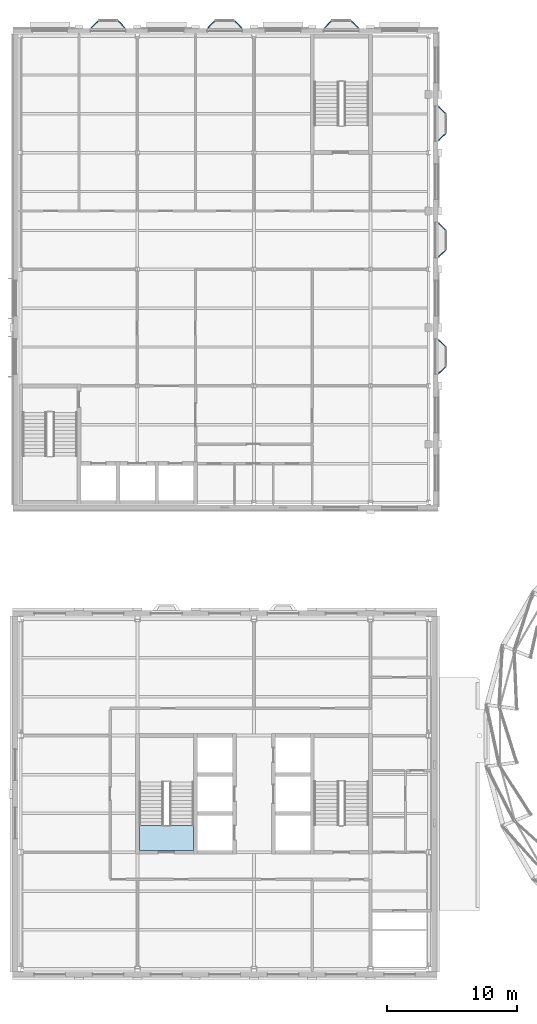
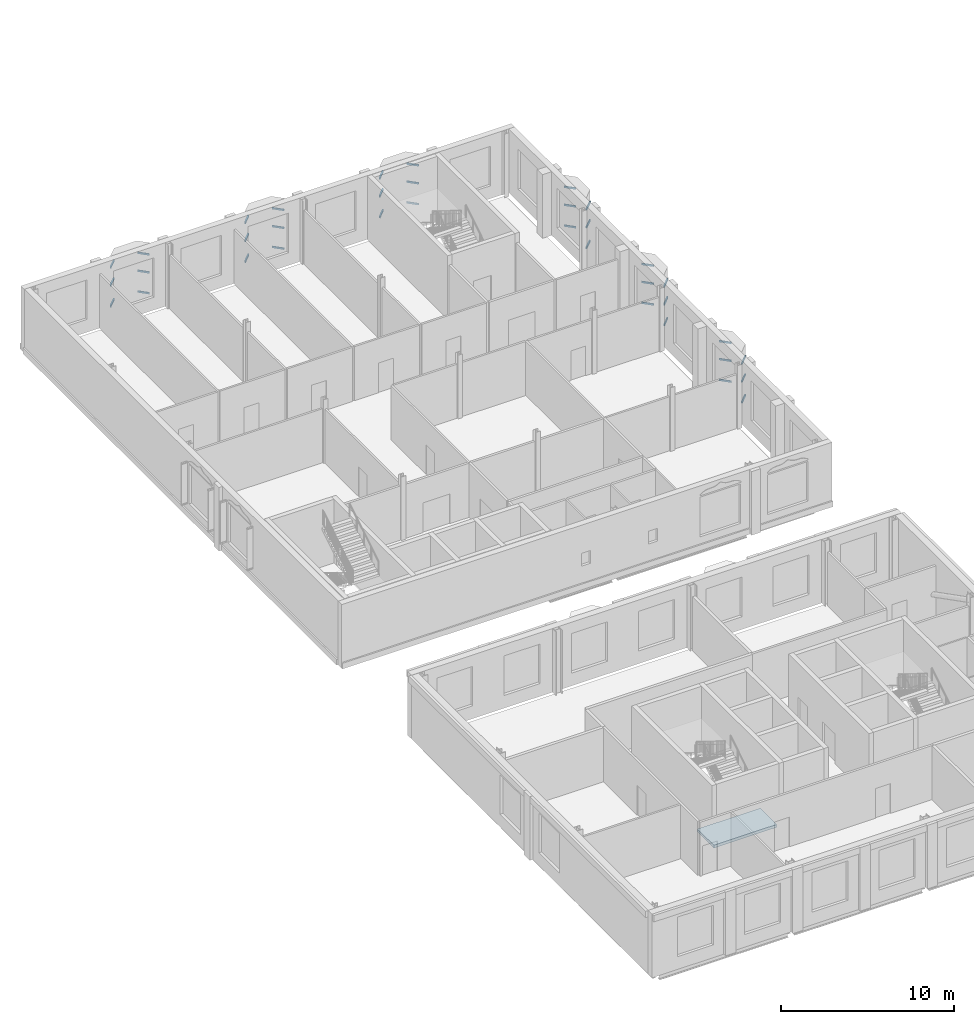
# One storey, part 17 of 59: 36 members, 1 slab, 12 elements without a shape of their own.
"""IFC4 building model written with IfcOpenShell, lengths in metres."""

from ifc_helpers import new_model, si_unit, direction, frame, origin, origin_2d, place, context, subcontext, project, spatial, polyline, rectangle, outline, extrude, material, layer, layer_set, material_profile, profile_set, type_object, element, aggregate, save


model = new_model("IFC4")

# Units and contexts
model_context = context("Model", 3, precision=1e-05, world=origin(), true_north=direction((0.0, 1.0)))
body_context = subcontext(model_context, "Body", "Model", "MODEL_VIEW")
ifc_project = project(units=[si_unit("LENGTHUNIT", "METRE"), si_unit("AREAUNIT", "SQUARE_METRE"), si_unit("VOLUMEUNIT", "CUBIC_METRE"), si_unit("PLANEANGLEUNIT", "RADIAN"), si_unit("MASSUNIT", "GRAM", prefix="KILO")], contexts=[model_context])

# Site, building, storey
site_placement = place(None, origin())
site = spatial("IfcSite", under=ifc_project, at=site_placement, CompositionType="ELEMENT")
building_placement = place(site_placement, origin())
building = spatial("IfcBuilding", under=site, at=building_placement, Name="Hortulan Conservatory and Botanical Research Centre", CompositionType="ELEMENT")
storey_placement = place(building_placement, frame((0.0, 0.0, 10.5)))
storey = spatial("IfcBuildingStorey", under=building, at=storey_placement, Name="L02", CompositionType="ELEMENT", Elevation=10.5)

# Curtain wall, members
ifc_material_1 = material(Name="Bronze-finished aluminium", Category="aluminium")
ifc_layer_1 = layer(ifc_material_1, 0.10009765625)
ifc_layer_set_1 = layer_set([ifc_layer_1], Name="Oriel Curtain Wall 1350 module")
curtain_wall_type = type_object("IfcCurtainWallType", Name="Oriel Curtain Wall 1350 module", PredefinedType="NOTDEFINED", material=ifc_layer_set_1)
curtain_wall_1_placement = place(storey_placement, origin())
curtain_wall_1 = element("IfcCurtainWall", 1, at=curtain_wall_1_placement, inside=storey, type_object=curtain_wall_type, Name="Oriel glazing", PredefinedType="NOTDEFINED")
ifc_material_profile = material_profile(ifc_material_1, rectangle(XDim=0.06005859375, YDim=0.1201171875, at=origin_2d()), Name="Bronze Transom 60x120")
ifc_profile_set = profile_set([ifc_material_profile], Name="Bronze-finished aluminium")
member_type = type_object("IfcMemberType", Name="Bronze Transom 60x120", PredefinedType="USERDEFINED", material=ifc_profile_set)
member_1_placement = place(storey_placement, frame((5.4423828125, 72.6279296875, 0.929931640625), z_axis=(0.707106781187, 0.707106781187, 0.0), x_axis=(-0.707106781187, 0.707106781187, 0.0)))
member_1 = element("IfcMember", 2, at=member_1_placement, type_object=member_type, Name="CW2 transom 1.1", ObjectType="TRANSOM", PredefinedType="USERDEFINED", context=body_context, shape_type="SweptSolid", body=[
    extrude(rectangle(XDim=0.06005859375, YDim=0.1201171875, at=origin_2d()), origin(), (0.0, 0.0, 1.0), 0.728515625),
])
member_2_placement = place(storey_placement, frame((5.4423828125, 72.6279296875, 2.39990234375), z_axis=(0.707106781187, 0.707106781187, 0.0), x_axis=(-0.707106781187, 0.707106781187, 0.0)))
member_2 = element("IfcMember", 3, at=member_2_placement, type_object=member_type, Name="CW2 transom 1.2", ObjectType="TRANSOM", PredefinedType="USERDEFINED", context=body_context, shape_type="SweptSolid", body=[
    extrude(rectangle(XDim=0.06005859375, YDim=0.1201171875, at=origin_2d()), origin(), (0.0, 0.0, 1.0), 0.728515625),
])
member_3_placement = place(storey_placement, frame((5.4423828125, 72.6279296875, 3.669921875), z_axis=(0.707106781187, 0.707106781187, 0.0), x_axis=(-0.707106781187, 0.707106781187, 0.0)))
member_3 = element("IfcMember", 4, at=member_3_placement, type_object=member_type, Name="CW2 transom 1.3", ObjectType="TRANSOM", PredefinedType="USERDEFINED", context=body_context, shape_type="SweptSolid", body=[
    extrude(rectangle(XDim=0.06005859375, YDim=0.1201171875, at=origin_2d()), origin(), (0.0, 0.0, 1.0), 0.728515625),
])
aggregate(curtain_wall_1, [member_1, member_2, member_3])

curtain_wall_2_placement = place(storey_placement, origin())
curtain_wall_2 = element("IfcCurtainWall", 5, at=curtain_wall_2_placement, inside=storey, type_object=curtain_wall_type, Name="Oriel glazing", PredefinedType="NOTDEFINED")
member_4_placement = place(storey_placement, frame((7.54248046875, 73.14306640625, 0.929931640625), z_axis=(0.707106781187, -0.707106781187, 0.0), x_axis=(0.707106781187, 0.707106781187, 0.0)))
member_4 = element("IfcMember", 6, at=member_4_placement, type_object=member_type, Name="CW2 transom 1.1", ObjectType="TRANSOM", PredefinedType="USERDEFINED", context=body_context, shape_type="SweptSolid", body=[
    extrude(rectangle(XDim=0.06005859375, YDim=0.1201171875, at=origin_2d()), origin(), (0.0, 0.0, 1.0), 0.728515625),
])
member_5_placement = place(storey_placement, frame((7.54248046875, 73.14306640625, 2.39990234375), z_axis=(0.707106781187, -0.707106781187, 0.0), x_axis=(0.707106781187, 0.707106781187, 0.0)))
member_5 = element("IfcMember", 7, at=member_5_placement, type_object=member_type, Name="CW2 transom 1.2", ObjectType="TRANSOM", PredefinedType="USERDEFINED", context=body_context, shape_type="SweptSolid", body=[
    extrude(rectangle(XDim=0.06005859375, YDim=0.1201171875, at=origin_2d()), origin(), (0.0, 0.0, 1.0), 0.728515625),
])
member_6_placement = place(storey_placement, frame((7.54248046875, 73.14306640625, 3.669921875), z_axis=(0.707106781187, -0.707106781187, 0.0), x_axis=(0.707106781187, 0.707106781187, 0.0)))
member_6 = element("IfcMember", 8, at=member_6_placement, type_object=member_type, Name="CW2 transom 1.3", ObjectType="TRANSOM", PredefinedType="USERDEFINED", context=body_context, shape_type="SweptSolid", body=[
    extrude(rectangle(XDim=0.06005859375, YDim=0.1201171875, at=origin_2d()), origin(), (0.0, 0.0, 1.0), 0.728515625),
])
aggregate(curtain_wall_2, [member_4, member_5, member_6])

curtain_wall_3_placement = place(storey_placement, origin())
curtain_wall_3 = element("IfcCurtainWall", 9, at=curtain_wall_3_placement, inside=storey, type_object=curtain_wall_type, Name="Oriel glazing", PredefinedType="NOTDEFINED")
member_7_placement = place(storey_placement, frame((14.4423828125, 72.6279296875, 0.929931640625), z_axis=(0.707106781187, 0.707106781187, 0.0), x_axis=(-0.707106781187, 0.707106781187, 0.0)))
member_7 = element("IfcMember", 10, at=member_7_placement, type_object=member_type, Name="CW2 transom 1.1", ObjectType="TRANSOM", PredefinedType="USERDEFINED", context=body_context, shape_type="SweptSolid", body=[
    extrude(rectangle(XDim=0.06005859375, YDim=0.1201171875, at=origin_2d()), origin(), (0.0, 0.0, 1.0), 0.728515625),
])
member_8_placement = place(storey_placement, frame((14.4423828125, 72.6279296875, 2.39990234375), z_axis=(0.707106781187, 0.707106781187, 0.0), x_axis=(-0.707106781187, 0.707106781187, 0.0)))
member_8 = element("IfcMember", 11, at=member_8_placement, type_object=member_type, Name="CW2 transom 1.2", ObjectType="TRANSOM", PredefinedType="USERDEFINED", context=body_context, shape_type="SweptSolid", body=[
    extrude(rectangle(XDim=0.06005859375, YDim=0.1201171875, at=origin_2d()), origin(), (0.0, 0.0, 1.0), 0.728515625),
])
member_9_placement = place(storey_placement, frame((14.4423828125, 72.6279296875, 3.669921875), z_axis=(0.707106781187, 0.707106781187, 0.0), x_axis=(-0.707106781187, 0.707106781187, 0.0)))
member_9 = element("IfcMember", 12, at=member_9_placement, type_object=member_type, Name="CW2 transom 1.3", ObjectType="TRANSOM", PredefinedType="USERDEFINED", context=body_context, shape_type="SweptSolid", body=[
    extrude(rectangle(XDim=0.06005859375, YDim=0.1201171875, at=origin_2d()), origin(), (0.0, 0.0, 1.0), 0.728515625),
])
aggregate(curtain_wall_3, [member_7, member_8, member_9])

curtain_wall_4_placement = place(storey_placement, origin())
curtain_wall_4 = element("IfcCurtainWall", 13, at=curtain_wall_4_placement, inside=storey, type_object=curtain_wall_type, Name="Oriel glazing", PredefinedType="NOTDEFINED")
member_10_placement = place(storey_placement, frame((16.54248046875, 73.14306640625, 0.929931640625), z_axis=(0.707106781187, -0.707106781187, 0.0), x_axis=(0.707106781187, 0.707106781187, 0.0)))
member_10 = element("IfcMember", 14, at=member_10_placement, type_object=member_type, Name="CW2 transom 1.1", ObjectType="TRANSOM", PredefinedType="USERDEFINED", context=body_context, shape_type="SweptSolid", body=[
    extrude(rectangle(XDim=0.06005859375, YDim=0.1201171875, at=origin_2d()), origin(), (0.0, 0.0, 1.0), 0.728515625),
])
member_11_placement = place(storey_placement, frame((16.54248046875, 73.14306640625, 2.39990234375), z_axis=(0.707106781187, -0.707106781187, 0.0), x_axis=(0.707106781187, 0.707106781187, 0.0)))
member_11 = element("IfcMember", 15, at=member_11_placement, type_object=member_type, Name="CW2 transom 1.2", ObjectType="TRANSOM", PredefinedType="USERDEFINED", context=body_context, shape_type="SweptSolid", body=[
    extrude(rectangle(XDim=0.06005859375, YDim=0.1201171875, at=origin_2d()), origin(), (0.0, 0.0, 1.0), 0.728515625),
])
member_12_placement = place(storey_placement, frame((16.54248046875, 73.14306640625, 3.669921875), z_axis=(0.707106781187, -0.707106781187, 0.0), x_axis=(0.707106781187, 0.707106781187, 0.0)))
member_12 = element("IfcMember", 16, at=member_12_placement, type_object=member_type, Name="CW2 transom 1.3", ObjectType="TRANSOM", PredefinedType="USERDEFINED", context=body_context, shape_type="SweptSolid", body=[
    extrude(rectangle(XDim=0.06005859375, YDim=0.1201171875, at=origin_2d()), origin(), (0.0, 0.0, 1.0), 0.728515625),
])
aggregate(curtain_wall_4, [member_10, member_11, member_12])

curtain_wall_5_placement = place(storey_placement, origin())
curtain_wall_5 = element("IfcCurtainWall", 17, at=curtain_wall_5_placement, inside=storey, type_object=curtain_wall_type, Name="Oriel glazing", PredefinedType="NOTDEFINED")
member_13_placement = place(storey_placement, frame((23.4423828125, 72.6279296875, 0.929931640625), z_axis=(0.707106781187, 0.707106781187, 0.0), x_axis=(-0.707106781187, 0.707106781187, 0.0)))
member_13 = element("IfcMember", 18, at=member_13_placement, type_object=member_type, Name="CW2 transom 1.1", ObjectType="TRANSOM", PredefinedType="USERDEFINED", context=body_context, shape_type="SweptSolid", body=[
    extrude(rectangle(XDim=0.06005859375, YDim=0.1201171875, at=origin_2d()), origin(), (0.0, 0.0, 1.0), 0.728515625),
])
member_14_placement = place(storey_placement, frame((23.4423828125, 72.6279296875, 2.39990234375), z_axis=(0.707106781187, 0.707106781187, 0.0), x_axis=(-0.707106781187, 0.707106781187, 0.0)))
member_14 = element("IfcMember", 19, at=member_14_placement, type_object=member_type, Name="CW2 transom 1.2", ObjectType="TRANSOM", PredefinedType="USERDEFINED", context=body_context, shape_type="SweptSolid", body=[
    extrude(rectangle(XDim=0.06005859375, YDim=0.1201171875, at=origin_2d()), origin(), (0.0, 0.0, 1.0), 0.728515625),
])
member_15_placement = place(storey_placement, frame((23.4423828125, 72.6279296875, 3.669921875), z_axis=(0.707106781187, 0.707106781187, 0.0), x_axis=(-0.707106781187, 0.707106781187, 0.0)))
member_15 = element("IfcMember", 20, at=member_15_placement, type_object=member_type, Name="CW2 transom 1.3", ObjectType="TRANSOM", PredefinedType="USERDEFINED", context=body_context, shape_type="SweptSolid", body=[
    extrude(rectangle(XDim=0.06005859375, YDim=0.1201171875, at=origin_2d()), origin(), (0.0, 0.0, 1.0), 0.728515625),
])
aggregate(curtain_wall_5, [member_13, member_14, member_15])

curtain_wall_6_placement = place(storey_placement, origin())
curtain_wall_6 = element("IfcCurtainWall", 21, at=curtain_wall_6_placement, inside=storey, type_object=curtain_wall_type, Name="Oriel glazing", PredefinedType="NOTDEFINED")
member_16_placement = place(storey_placement, frame((25.54248046875, 73.14306640625, 0.929931640625), z_axis=(0.707106781187, -0.707106781187, 0.0), x_axis=(0.707106781187, 0.707106781187, 0.0)))
member_16 = element("IfcMember", 22, at=member_16_placement, type_object=member_type, Name="CW2 transom 1.1", ObjectType="TRANSOM", PredefinedType="USERDEFINED", context=body_context, shape_type="SweptSolid", body=[
    extrude(rectangle(XDim=0.06005859375, YDim=0.1201171875, at=origin_2d()), origin(), (0.0, 0.0, 1.0), 0.728515625),
])
member_17_placement = place(storey_placement, frame((25.54248046875, 73.14306640625, 2.39990234375), z_axis=(0.707106781187, -0.707106781187, 0.0), x_axis=(0.707106781187, 0.707106781187, 0.0)))
member_17 = element("IfcMember", 23, at=member_17_placement, type_object=member_type, Name="CW2 transom 1.2", ObjectType="TRANSOM", PredefinedType="USERDEFINED", context=body_context, shape_type="SweptSolid", body=[
    extrude(rectangle(XDim=0.06005859375, YDim=0.1201171875, at=origin_2d()), origin(), (0.0, 0.0, 1.0), 0.728515625),
])
member_18_placement = place(storey_placement, frame((25.54248046875, 73.14306640625, 3.669921875), z_axis=(0.707106781187, -0.707106781187, 0.0), x_axis=(0.707106781187, 0.707106781187, 0.0)))
member_18 = element("IfcMember", 24, at=member_18_placement, type_object=member_type, Name="CW2 transom 1.3", ObjectType="TRANSOM", PredefinedType="USERDEFINED", context=body_context, shape_type="SweptSolid", body=[
    extrude(rectangle(XDim=0.06005859375, YDim=0.1201171875, at=origin_2d()), origin(), (0.0, 0.0, 1.0), 0.728515625),
])
aggregate(curtain_wall_6, [member_16, member_17, member_18])

curtain_wall_7_placement = place(storey_placement, origin())
curtain_wall_7 = element("IfcCurtainWall", 25, at=curtain_wall_7_placement, inside=storey, type_object=curtain_wall_type, Name="Oriel glazing", PredefinedType="NOTDEFINED")
member_19_placement = place(storey_placement, frame((32.267333984375, 48.5576171875, 0.929931640625), z_axis=(0.707106781187, -0.707106781187, 0.0), x_axis=(0.707106781187, 0.707106781187, 0.0)))
member_19 = element("IfcMember", 26, at=member_19_placement, type_object=member_type, Name="CW2 transom 1.1", ObjectType="TRANSOM", PredefinedType="USERDEFINED", context=body_context, shape_type="SweptSolid", body=[
    extrude(rectangle(XDim=0.06005859375, YDim=0.1201171875, at=origin_2d()), origin(), (0.0, 0.0, 1.0), 0.728515625),
])
member_20_placement = place(storey_placement, frame((32.267333984375, 48.5576171875, 2.39990234375), z_axis=(0.707106781187, -0.707106781187, 0.0), x_axis=(0.707106781187, 0.707106781187, 0.0)))
member_20 = element("IfcMember", 27, at=member_20_placement, type_object=member_type, Name="CW2 transom 1.2", ObjectType="TRANSOM", PredefinedType="USERDEFINED", context=body_context, shape_type="SweptSolid", body=[
    extrude(rectangle(XDim=0.06005859375, YDim=0.1201171875, at=origin_2d()), origin(), (0.0, 0.0, 1.0), 0.728515625),
])
member_21_placement = place(storey_placement, frame((32.267333984375, 48.5576171875, 3.669921875), z_axis=(0.707106781187, -0.707106781187, 0.0), x_axis=(0.707106781187, 0.707106781187, 0.0)))
member_21 = element("IfcMember", 28, at=member_21_placement, type_object=member_type, Name="CW2 transom 1.3", ObjectType="TRANSOM", PredefinedType="USERDEFINED", context=body_context, shape_type="SweptSolid", body=[
    extrude(rectangle(XDim=0.06005859375, YDim=0.1201171875, at=origin_2d()), origin(), (0.0, 0.0, 1.0), 0.728515625),
])
aggregate(curtain_wall_7, [member_19, member_20, member_21])

curtain_wall_8_placement = place(storey_placement, origin())
curtain_wall_8 = element("IfcCurtainWall", 29, at=curtain_wall_8_placement, inside=storey, type_object=curtain_wall_type, Name="Oriel glazing", PredefinedType="NOTDEFINED")
member_22_placement = place(storey_placement, frame((32.782470703125, 46.45751953125, 0.929931640625), z_axis=(-0.707106781187, -0.707106781187, 0.0), x_axis=(0.707106781187, -0.707106781187, 0.0)))
member_22 = element("IfcMember", 30, at=member_22_placement, type_object=member_type, Name="CW2 transom 1.1", ObjectType="TRANSOM", PredefinedType="USERDEFINED", context=body_context, shape_type="SweptSolid", body=[
    extrude(rectangle(XDim=0.06005859375, YDim=0.1201171875, at=origin_2d()), origin(), (0.0, 0.0, 1.0), 0.728515625),
])
member_23_placement = place(storey_placement, frame((32.782470703125, 46.45751953125, 2.39990234375), z_axis=(-0.707106781187, -0.707106781187, 0.0), x_axis=(0.707106781187, -0.707106781187, 0.0)))
member_23 = element("IfcMember", 31, at=member_23_placement, type_object=member_type, Name="CW2 transom 1.2", ObjectType="TRANSOM", PredefinedType="USERDEFINED", context=body_context, shape_type="SweptSolid", body=[
    extrude(rectangle(XDim=0.06005859375, YDim=0.1201171875, at=origin_2d()), origin(), (0.0, 0.0, 1.0), 0.728515625),
])
member_24_placement = place(storey_placement, frame((32.782470703125, 46.45751953125, 3.669921875), z_axis=(-0.707106781187, -0.707106781187, 0.0), x_axis=(0.707106781187, -0.707106781187, 0.0)))
member_24 = element("IfcMember", 32, at=member_24_placement, type_object=member_type, Name="CW2 transom 1.3", ObjectType="TRANSOM", PredefinedType="USERDEFINED", context=body_context, shape_type="SweptSolid", body=[
    extrude(rectangle(XDim=0.06005859375, YDim=0.1201171875, at=origin_2d()), origin(), (0.0, 0.0, 1.0), 0.728515625),
])
aggregate(curtain_wall_8, [member_22, member_23, member_24])

curtain_wall_9_placement = place(storey_placement, origin())
curtain_wall_9 = element("IfcCurtainWall", 33, at=curtain_wall_9_placement, inside=storey, type_object=curtain_wall_type, Name="Oriel glazing", PredefinedType="NOTDEFINED")
member_25_placement = place(storey_placement, frame((32.267333984375, 57.5576171875, 0.929931640625), z_axis=(0.707106781187, -0.707106781187, 0.0), x_axis=(0.707106781187, 0.707106781187, 0.0)))
member_25 = element("IfcMember", 34, at=member_25_placement, type_object=member_type, Name="CW2 transom 1.1", ObjectType="TRANSOM", PredefinedType="USERDEFINED", context=body_context, shape_type="SweptSolid", body=[
    extrude(rectangle(XDim=0.06005859375, YDim=0.1201171875, at=origin_2d()), origin(), (0.0, 0.0, 1.0), 0.728515625),
])
member_26_placement = place(storey_placement, frame((32.267333984375, 57.5576171875, 2.39990234375), z_axis=(0.707106781187, -0.707106781187, 0.0), x_axis=(0.707106781187, 0.707106781187, 0.0)))
member_26 = element("IfcMember", 35, at=member_26_placement, type_object=member_type, Name="CW2 transom 1.2", ObjectType="TRANSOM", PredefinedType="USERDEFINED", context=body_context, shape_type="SweptSolid", body=[
    extrude(rectangle(XDim=0.06005859375, YDim=0.1201171875, at=origin_2d()), origin(), (0.0, 0.0, 1.0), 0.728515625),
])
member_27_placement = place(storey_placement, frame((32.267333984375, 57.5576171875, 3.669921875), z_axis=(0.707106781187, -0.707106781187, 0.0), x_axis=(0.707106781187, 0.707106781187, 0.0)))
member_27 = element("IfcMember", 36, at=member_27_placement, type_object=member_type, Name="CW2 transom 1.3", ObjectType="TRANSOM", PredefinedType="USERDEFINED", context=body_context, shape_type="SweptSolid", body=[
    extrude(rectangle(XDim=0.06005859375, YDim=0.1201171875, at=origin_2d()), origin(), (0.0, 0.0, 1.0), 0.728515625),
])
aggregate(curtain_wall_9, [member_25, member_26, member_27])

curtain_wall_10_placement = place(storey_placement, origin())
curtain_wall_10 = element("IfcCurtainWall", 37, at=curtain_wall_10_placement, inside=storey, type_object=curtain_wall_type, Name="Oriel glazing", PredefinedType="NOTDEFINED")
member_28_placement = place(storey_placement, frame((32.782470703125, 55.45751953125, 0.929931640625), z_axis=(-0.707106781187, -0.707106781187, 0.0), x_axis=(0.707106781187, -0.707106781187, 0.0)))
member_28 = element("IfcMember", 38, at=member_28_placement, type_object=member_type, Name="CW2 transom 1.1", ObjectType="TRANSOM", PredefinedType="USERDEFINED", context=body_context, shape_type="SweptSolid", body=[
    extrude(rectangle(XDim=0.06005859375, YDim=0.1201171875, at=origin_2d()), origin(), (0.0, 0.0, 1.0), 0.728515625),
])
member_29_placement = place(storey_placement, frame((32.782470703125, 55.45751953125, 2.39990234375), z_axis=(-0.707106781187, -0.707106781187, 0.0), x_axis=(0.707106781187, -0.707106781187, 0.0)))
member_29 = element("IfcMember", 39, at=member_29_placement, type_object=member_type, Name="CW2 transom 1.2", ObjectType="TRANSOM", PredefinedType="USERDEFINED", context=body_context, shape_type="SweptSolid", body=[
    extrude(rectangle(XDim=0.06005859375, YDim=0.1201171875, at=origin_2d()), origin(), (0.0, 0.0, 1.0), 0.728515625),
])
member_30_placement = place(storey_placement, frame((32.782470703125, 55.45751953125, 3.669921875), z_axis=(-0.707106781187, -0.707106781187, 0.0), x_axis=(0.707106781187, -0.707106781187, 0.0)))
member_30 = element("IfcMember", 40, at=member_30_placement, type_object=member_type, Name="CW2 transom 1.3", ObjectType="TRANSOM", PredefinedType="USERDEFINED", context=body_context, shape_type="SweptSolid", body=[
    extrude(rectangle(XDim=0.06005859375, YDim=0.1201171875, at=origin_2d()), origin(), (0.0, 0.0, 1.0), 0.728515625),
])
aggregate(curtain_wall_10, [member_28, member_29, member_30])

curtain_wall_11_placement = place(storey_placement, origin())
curtain_wall_11 = element("IfcCurtainWall", 41, at=curtain_wall_11_placement, inside=storey, type_object=curtain_wall_type, Name="Oriel glazing", PredefinedType="NOTDEFINED")
member_31_placement = place(storey_placement, frame((32.267333984375, 66.5576171875, 0.929931640625), z_axis=(0.707106781187, -0.707106781187, 0.0), x_axis=(0.707106781187, 0.707106781187, 0.0)))
member_31 = element("IfcMember", 42, at=member_31_placement, type_object=member_type, Name="CW2 transom 1.1", ObjectType="TRANSOM", PredefinedType="USERDEFINED", context=body_context, shape_type="SweptSolid", body=[
    extrude(rectangle(XDim=0.06005859375, YDim=0.1201171875, at=origin_2d()), origin(), (0.0, 0.0, 1.0), 0.728515625),
])
member_32_placement = place(storey_placement, frame((32.267333984375, 66.5576171875, 2.39990234375), z_axis=(0.707106781187, -0.707106781187, 0.0), x_axis=(0.707106781187, 0.707106781187, 0.0)))
member_32 = element("IfcMember", 43, at=member_32_placement, type_object=member_type, Name="CW2 transom 1.2", ObjectType="TRANSOM", PredefinedType="USERDEFINED", context=body_context, shape_type="SweptSolid", body=[
    extrude(rectangle(XDim=0.06005859375, YDim=0.1201171875, at=origin_2d()), origin(), (0.0, 0.0, 1.0), 0.728515625),
])
member_33_placement = place(storey_placement, frame((32.267333984375, 66.5576171875, 3.669921875), z_axis=(0.707106781187, -0.707106781187, 0.0), x_axis=(0.707106781187, 0.707106781187, 0.0)))
member_33 = element("IfcMember", 44, at=member_33_placement, type_object=member_type, Name="CW2 transom 1.3", ObjectType="TRANSOM", PredefinedType="USERDEFINED", context=body_context, shape_type="SweptSolid", body=[
    extrude(rectangle(XDim=0.06005859375, YDim=0.1201171875, at=origin_2d()), origin(), (0.0, 0.0, 1.0), 0.728515625),
])
aggregate(curtain_wall_11, [member_31, member_32, member_33])

curtain_wall_12_placement = place(storey_placement, origin())
curtain_wall_12 = element("IfcCurtainWall", 45, at=curtain_wall_12_placement, inside=storey, type_object=curtain_wall_type, Name="Oriel glazing", PredefinedType="NOTDEFINED")
member_34_placement = place(storey_placement, frame((32.782470703125, 64.45751953125, 0.929931640625), z_axis=(-0.707106781187, -0.707106781187, 0.0), x_axis=(0.707106781187, -0.707106781187, 0.0)))
member_34 = element("IfcMember", 46, at=member_34_placement, type_object=member_type, Name="CW2 transom 1.1", ObjectType="TRANSOM", PredefinedType="USERDEFINED", context=body_context, shape_type="SweptSolid", body=[
    extrude(rectangle(XDim=0.06005859375, YDim=0.1201171875, at=origin_2d()), origin(), (0.0, 0.0, 1.0), 0.728515625),
])
member_35_placement = place(storey_placement, frame((32.782470703125, 64.45751953125, 2.39990234375), z_axis=(-0.707106781187, -0.707106781187, 0.0), x_axis=(0.707106781187, -0.707106781187, 0.0)))
member_35 = element("IfcMember", 47, at=member_35_placement, type_object=member_type, Name="CW2 transom 1.2", ObjectType="TRANSOM", PredefinedType="USERDEFINED", context=body_context, shape_type="SweptSolid", body=[
    extrude(rectangle(XDim=0.06005859375, YDim=0.1201171875, at=origin_2d()), origin(), (0.0, 0.0, 1.0), 0.728515625),
])
member_36_placement = place(storey_placement, frame((32.782470703125, 64.45751953125, 3.669921875), z_axis=(-0.707106781187, -0.707106781187, 0.0), x_axis=(0.707106781187, -0.707106781187, 0.0)))
member_36 = element("IfcMember", 48, at=member_36_placement, type_object=member_type, Name="CW2 transom 1.3", ObjectType="TRANSOM", PredefinedType="USERDEFINED", context=body_context, shape_type="SweptSolid", body=[
    extrude(rectangle(XDim=0.06005859375, YDim=0.1201171875, at=origin_2d()), origin(), (0.0, 0.0, 1.0), 0.728515625),
])
aggregate(curtain_wall_12, [member_34, member_35, member_36])

# Slab
ifc_material_2 = material(Name="Concrete N40 (40 MPa, AS 3600)", Category="concrete")
ifc_layer_2 = layer(ifc_material_2, 0.199951171875)
ifc_layer_set_2 = layer_set([ifc_layer_2], Name="Stair Landing 200")
slab_type = type_object("IfcSlabType", Name="Stair Landing 200", PredefinedType="LANDING", material=ifc_layer_set_2)
slab_placement = place(storey_placement, frame((0.0, 0.0, -0.199951171875)))
element("IfcSlab", 49, at=slab_placement, inside=storey, type_object=slab_type, Name="Stair T1 floor landing L02", PredefinedType="LANDING", context=body_context, shape_type="SweptSolid", body=[
    extrude(outline(polyline([(13.35009765625, 9.14990234375), (9.14990234375, 9.14990234375), (9.14990234375, 11.050048828125), (13.35009765625, 11.050048828125), (13.35009765625, 9.14990234375)])), origin(), (0.0, 0.0, 1.0), 0.199951171875),
])

save(model, "model.ifc")
